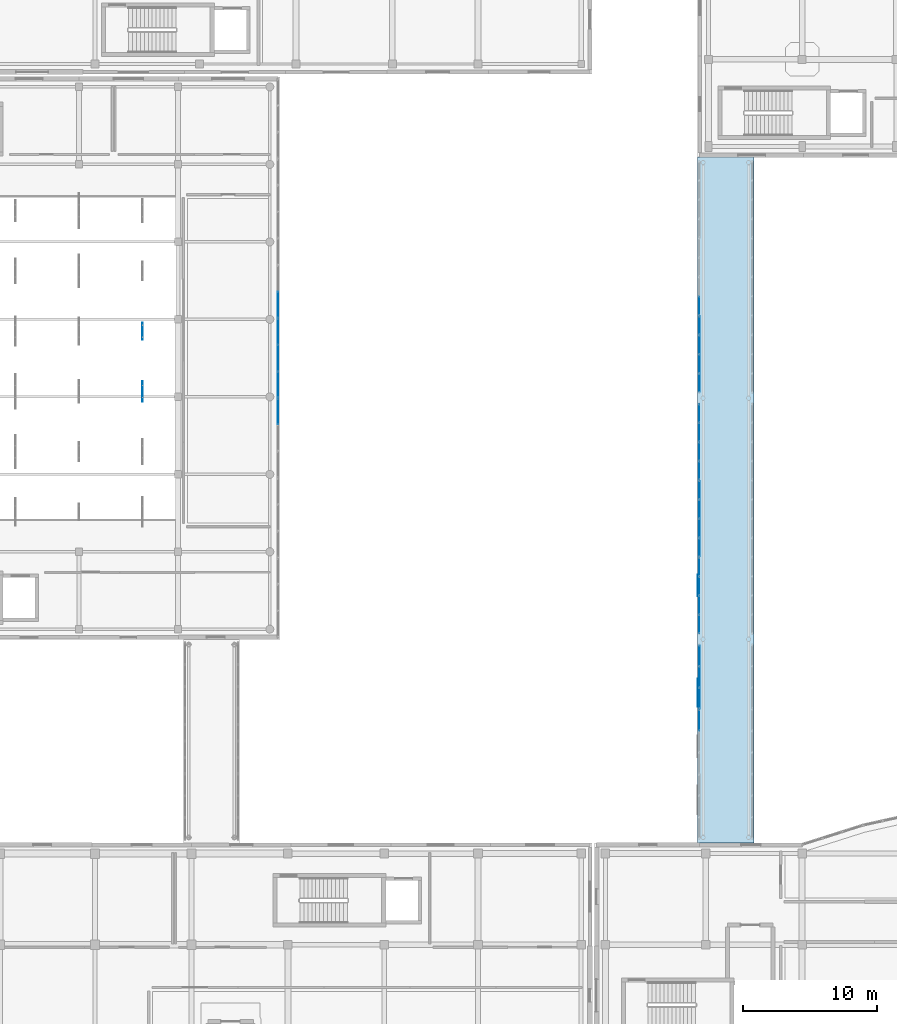
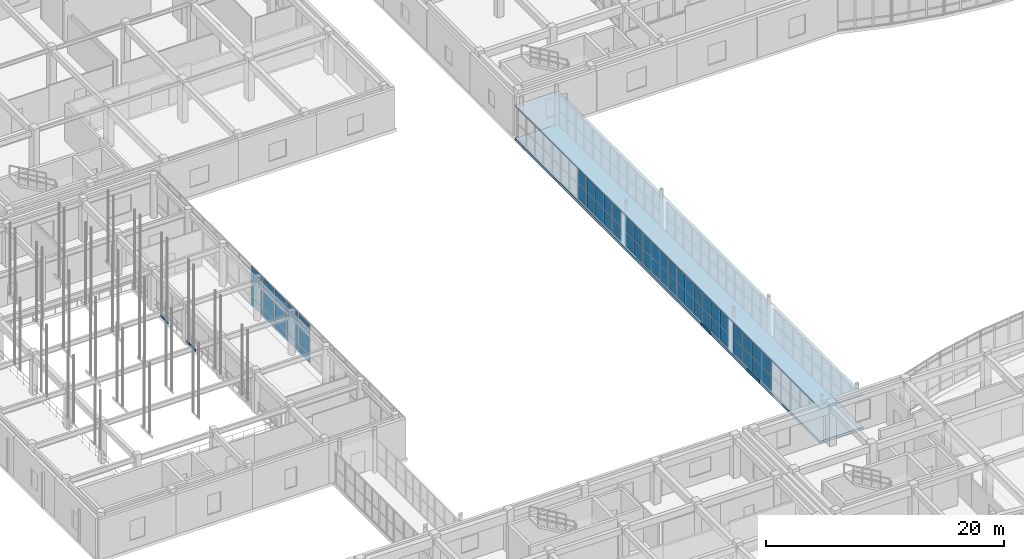
# One storey, part 106 of 142: 61 plates, 2 slabs, 10 elements without a shape of their own.
"""IFC4 building model written with IfcOpenShell, lengths in metres."""

from ifc_helpers import new_model, si_unit, direction, frame, origin, origin_2d, place, context, subcontext, project, spatial, polyline, rectangle, outline, extrude, material, layer, layer_set, type_object, element, aggregate, save


model = new_model("IFC4")

# Units and contexts
model_context = context("Model", 3, precision=1e-05, world=origin(), true_north=direction((0.0, 1.0)))
body_context = subcontext(model_context, "Body", "Model", "MODEL_VIEW")
ifc_project = project(units=[si_unit("LENGTHUNIT", "METRE"), si_unit("AREAUNIT", "SQUARE_METRE"), si_unit("VOLUMEUNIT", "CUBIC_METRE"), si_unit("PLANEANGLEUNIT", "RADIAN"), si_unit("MASSUNIT", "GRAM", prefix="KILO")], contexts=[model_context])

# Site, building, storey
site_placement = place(None, origin())
site = spatial("IfcSite", under=ifc_project, at=site_placement, CompositionType="ELEMENT")
building_placement = place(site_placement, origin())
building = spatial("IfcBuilding", under=site, at=building_placement, Name="Valcora Specialist Clinic", CompositionType="ELEMENT")
storey_placement = place(building_placement, frame((0.0, 0.0, 5.10009765625)))
storey = spatial("IfcBuildingStorey", under=building, at=storey_placement, Name="L01", CompositionType="ELEMENT", Elevation=5.10009765625)

# Curtain wall, plates
ifc_material_1 = material(Name="Anodized Bronze Aluminium 6063-T6", Category="aluminium")
ifc_layer_1 = layer(ifc_material_1, 0.175048828125)
ifc_layer_set_1 = layer_set([ifc_layer_1], Name="Anodized Bronze Aluminium 6063-T6")
curtain_wall_type_1 = type_object("IfcCurtainWallType", Name="TY-CW-HAL18", PredefinedType="NOTDEFINED", material=ifc_layer_set_1)
curtain_wall_1_placement = place(storey_placement, origin())
curtain_wall_1 = element("IfcCurtainWall", 1, at=curtain_wall_1_placement, inside=storey, type_object=curtain_wall_type_1, Name="Curtain wall CW-L01-010", PredefinedType="NOTDEFINED")
ifc_material_2 = material(Name="Low-E Laminated Insulating Glass", Category="glass")
ifc_layer_2 = layer(ifc_material_2, 0.028076171875)
ifc_layer_set_2 = layer_set([ifc_layer_2], Name="Low-E Laminated Insulating Glass")
plate_type_1 = type_object("IfcPlateType", Name="TY-CWP-GLZ28", PredefinedType="CURTAIN_PANEL", material=ifc_layer_set_2)
plate_1_placement = place(storey_placement, frame((29.85009765625, 62.98779296875, 0.88232421875), z_axis=(0.0, 0.0, 1.0), x_axis=(0.0, -1.0, 0.0)))
plate_1 = element("IfcPlate", 2, at=plate_1_placement, type_object=plate_type_1, Name="CW-HAL-18 panel 3.2", PredefinedType="CURTAIN_PANEL", context=body_context, shape_type="SweptSolid", body=[
    extrude(rectangle(XDim=1.88818359375, YDim=0.028076171875, at=origin_2d()), origin(), (0.0, 0.0, 1.0), 2.655029296875),
])
plate_2_placement = place(storey_placement, frame((29.85009765625, 62.98779296875, 3.6025390625), z_axis=(0.0, 0.0, 1.0), x_axis=(0.0, -1.0, 0.0)))
plate_2 = element("IfcPlate", 3, at=plate_2_placement, type_object=plate_type_1, Name="CW-HAL-18 panel 3.3", PredefinedType="CURTAIN_PANEL", context=body_context, shape_type="SweptSolid", body=[
    extrude(rectangle(XDim=1.88818359375, YDim=0.028076171875, at=origin_2d()), origin(), (0.0, 0.0, 1.0), 0.452392578125),
])

curtain_wall_2_placement = place(storey_placement, origin())
curtain_wall_2 = element("IfcCurtainWall", 4, at=curtain_wall_2_placement, inside=storey, type_object=curtain_wall_type_1, Name="Curtain wall CW-L01-012", PredefinedType="NOTDEFINED")
plate_3_placement = place(storey_placement, frame((29.85009765625, 55.01220703125, 0.88232421875), z_axis=(0.0, 0.0, 1.0), x_axis=(0.0, -1.0, 0.0)))
plate_3 = element("IfcPlate", 5, at=plate_3_placement, type_object=plate_type_1, Name="CW-HAL-18 panel 1.2", PredefinedType="CURTAIN_PANEL", context=body_context, shape_type="SweptSolid", body=[
    extrude(rectangle(XDim=1.88818359375, YDim=0.028076171875, at=origin_2d()), origin(), (0.0, 0.0, 1.0), 2.655029296875),
])
plate_4_placement = place(storey_placement, frame((29.85009765625, 55.01220703125, 3.6025390625), z_axis=(0.0, 0.0, 1.0), x_axis=(0.0, -1.0, 0.0)))
plate_4 = element("IfcPlate", 6, at=plate_4_placement, type_object=plate_type_1, Name="CW-HAL-18 panel 1.3", PredefinedType="CURTAIN_PANEL", context=body_context, shape_type="SweptSolid", body=[
    extrude(rectangle(XDim=1.88818359375, YDim=0.028076171875, at=origin_2d()), origin(), (0.0, 0.0, 1.0), 0.452392578125),
])

ifc_layer_3 = layer(ifc_material_1, 0.175048828125)
ifc_layer_set_3 = layer_set([ifc_layer_3], Name="Anodized Bronze Aluminium 6063-T6")
curtain_wall_type_2 = type_object("IfcCurtainWallType", Name="TY-CW-BRG14", PredefinedType="NOTDEFINED", material=ifc_layer_set_3)
curtain_wall_3_placement = place(storey_placement, origin())
curtain_wall_3 = element("IfcCurtainWall", 7, at=curtain_wall_3_placement, inside=storey, type_object=curtain_wall_type_2, Name="Curtain wall CW-L01-232", PredefinedType="NOTDEFINED")
plate_5_placement = place(storey_placement, frame((61.320068359375, 31.94482421875, 0.06494140625), z_axis=(0.0, 0.0, 1.0), x_axis=(0.0, 1.0, 0.0)))
plate_5 = element("IfcPlate", 8, at=plate_5_placement, type_object=plate_type_1, Name="CW-BRG-14 panel 3.1", PredefinedType="CURTAIN_PANEL", context=body_context, shape_type="SweptSolid", body=[
    extrude(rectangle(XDim=1.513671875, YDim=0.028076171875, at=origin_2d()), origin(), (0.0, 0.0, 1.0), 1.5224609375),
])
plate_6_placement = place(storey_placement, frame((61.320068359375, 31.94482421875, 1.65234375), z_axis=(0.0, 0.0, 1.0), x_axis=(0.0, 1.0, 0.0)))
plate_6 = element("IfcPlate", 9, at=plate_6_placement, type_object=plate_type_1, Name="CW-BRG-14 panel 3.2", PredefinedType="CURTAIN_PANEL", context=body_context, shape_type="SweptSolid", body=[
    extrude(rectangle(XDim=1.513671875, YDim=0.028076171875, at=origin_2d()), origin(), (0.0, 0.0, 1.0), 1.5224609375),
])
aggregate(curtain_wall_3, [plate_5, plate_6])

curtain_wall_4_placement = place(storey_placement, origin())
curtain_wall_4 = element("IfcCurtainWall", 10, at=curtain_wall_4_placement, inside=storey, type_object=curtain_wall_type_2, Name="Curtain wall CW-L01-234", PredefinedType="NOTDEFINED")
plate_7_placement = place(storey_placement, frame((61.320068359375, 39.1328125, 0.06494140625), z_axis=(0.0, 0.0, 1.0), x_axis=(0.0, 1.0, 0.0)))
plate_7 = element("IfcPlate", 11, at=plate_7_placement, type_object=plate_type_1, Name="CW-BRG-14 panel 1.1", PredefinedType="CURTAIN_PANEL", context=body_context, shape_type="SweptSolid", body=[
    extrude(rectangle(XDim=1.3359375, YDim=0.028076171875, at=origin_2d()), origin(), (0.0, 0.0, 1.0), 1.5224609375),
])
plate_8_placement = place(storey_placement, frame((61.320068359375, 39.1328125, 1.65234375), z_axis=(0.0, 0.0, 1.0), x_axis=(0.0, 1.0, 0.0)))
plate_8 = element("IfcPlate", 12, at=plate_8_placement, type_object=plate_type_1, Name="CW-BRG-14 panel 1.2", PredefinedType="CURTAIN_PANEL", context=body_context, shape_type="SweptSolid", body=[
    extrude(rectangle(XDim=1.3359375, YDim=0.028076171875, at=origin_2d()), origin(), (0.0, 0.0, 1.0), 1.5224609375),
])
plate_9_placement = place(storey_placement, frame((61.320068359375, 40.550048828125, 0.06494140625), z_axis=(0.0, 0.0, 1.0), x_axis=(0.0, 1.0, 0.0)))
plate_9 = element("IfcPlate", 13, at=plate_9_placement, type_object=plate_type_1, Name="CW-BRG-14 panel 2.1", PredefinedType="CURTAIN_PANEL", context=body_context, shape_type="SweptSolid", body=[
    extrude(rectangle(XDim=1.368408203125, YDim=0.028076171875, at=origin_2d()), origin(), (0.0, 0.0, 1.0), 1.5224609375),
])
plate_10_placement = place(storey_placement, frame((61.320068359375, 40.550048828125, 1.65234375), z_axis=(0.0, 0.0, 1.0), x_axis=(0.0, 1.0, 0.0)))
plate_10 = element("IfcPlate", 14, at=plate_10_placement, type_object=plate_type_1, Name="CW-BRG-14 panel 2.2", PredefinedType="CURTAIN_PANEL", context=body_context, shape_type="SweptSolid", body=[
    extrude(rectangle(XDim=1.368408203125, YDim=0.028076171875, at=origin_2d()), origin(), (0.0, 0.0, 1.0), 1.5224609375),
])
plate_11_placement = place(storey_placement, frame((61.320068359375, 41.9833984375, 0.06494140625), z_axis=(0.0, 0.0, 1.0), x_axis=(0.0, 1.0, 0.0)))
plate_11 = element("IfcPlate", 15, at=plate_11_placement, type_object=plate_type_1, Name="CW-BRG-14 panel 3.1", PredefinedType="CURTAIN_PANEL", context=body_context, shape_type="SweptSolid", body=[
    extrude(rectangle(XDim=1.368408203125, YDim=0.028076171875, at=origin_2d()), origin(), (0.0, 0.0, 1.0), 1.5224609375),
])
plate_12_placement = place(storey_placement, frame((61.320068359375, 41.9833984375, 1.65234375), z_axis=(0.0, 0.0, 1.0), x_axis=(0.0, 1.0, 0.0)))
plate_12 = element("IfcPlate", 16, at=plate_12_placement, type_object=plate_type_1, Name="CW-BRG-14 panel 3.2", PredefinedType="CURTAIN_PANEL", context=body_context, shape_type="SweptSolid", body=[
    extrude(rectangle(XDim=1.368408203125, YDim=0.028076171875, at=origin_2d()), origin(), (0.0, 0.0, 1.0), 1.5224609375),
])
plate_13_placement = place(storey_placement, frame((61.320068359375, 43.400390625, 0.06494140625), z_axis=(0.0, 0.0, 1.0), x_axis=(0.0, 1.0, 0.0)))
plate_13 = element("IfcPlate", 17, at=plate_13_placement, type_object=plate_type_1, Name="CW-BRG-14 panel 4.1", PredefinedType="CURTAIN_PANEL", context=body_context, shape_type="SweptSolid", body=[
    extrude(rectangle(XDim=1.3359375, YDim=0.028076171875, at=origin_2d()), origin(), (0.0, 0.0, 1.0), 1.5224609375),
])
plate_14_placement = place(storey_placement, frame((61.320068359375, 43.400390625, 1.65234375), z_axis=(0.0, 0.0, 1.0), x_axis=(0.0, 1.0, 0.0)))
plate_14 = element("IfcPlate", 18, at=plate_14_placement, type_object=plate_type_1, Name="CW-BRG-14 panel 4.2", PredefinedType="CURTAIN_PANEL", context=body_context, shape_type="SweptSolid", body=[
    extrude(rectangle(XDim=1.3359375, YDim=0.028076171875, at=origin_2d()), origin(), (0.0, 0.0, 1.0), 1.5224609375),
])
aggregate(curtain_wall_4, [plate_7, plate_8, plate_9, plate_10, plate_11, plate_12, plate_13, plate_14])

curtain_wall_5_placement = place(storey_placement, origin())
curtain_wall_5 = element("IfcCurtainWall", 19, at=curtain_wall_5_placement, inside=storey, type_object=curtain_wall_type_2, Name="Curtain wall CW-L01-236", PredefinedType="NOTDEFINED")
plate_15_placement = place(storey_placement, frame((61.320068359375, 50.599609375, 0.06494140625), z_axis=(0.0, 0.0, 1.0), x_axis=(0.0, 1.0, 0.0)))
plate_15 = element("IfcPlate", 20, at=plate_15_placement, type_object=plate_type_1, Name="CW-BRG-14 panel 1.1", PredefinedType="CURTAIN_PANEL", context=body_context, shape_type="SweptSolid", body=[
    extrude(rectangle(XDim=1.3359375, YDim=0.028076171875, at=origin_2d()), origin(), (0.0, 0.0, 1.0), 1.5224609375),
])
plate_16_placement = place(storey_placement, frame((61.320068359375, 50.599609375, 1.65234375), z_axis=(0.0, 0.0, 1.0), x_axis=(0.0, 1.0, 0.0)))
plate_16 = element("IfcPlate", 21, at=plate_16_placement, type_object=plate_type_1, Name="CW-BRG-14 panel 1.2", PredefinedType="CURTAIN_PANEL", context=body_context, shape_type="SweptSolid", body=[
    extrude(rectangle(XDim=1.3359375, YDim=0.028076171875, at=origin_2d()), origin(), (0.0, 0.0, 1.0), 1.5224609375),
])
plate_17_placement = place(storey_placement, frame((61.320068359375, 52.0166015625, 0.06494140625), z_axis=(0.0, 0.0, 1.0), x_axis=(0.0, 1.0, 0.0)))
plate_17 = element("IfcPlate", 22, at=plate_17_placement, type_object=plate_type_1, Name="CW-BRG-14 panel 2.1", PredefinedType="CURTAIN_PANEL", context=body_context, shape_type="SweptSolid", body=[
    extrude(rectangle(XDim=1.368408203125, YDim=0.028076171875, at=origin_2d()), origin(), (0.0, 0.0, 1.0), 1.5224609375),
])
plate_18_placement = place(storey_placement, frame((61.320068359375, 52.0166015625, 1.65234375), z_axis=(0.0, 0.0, 1.0), x_axis=(0.0, 1.0, 0.0)))
plate_18 = element("IfcPlate", 23, at=plate_18_placement, type_object=plate_type_1, Name="CW-BRG-14 panel 2.2", PredefinedType="CURTAIN_PANEL", context=body_context, shape_type="SweptSolid", body=[
    extrude(rectangle(XDim=1.368408203125, YDim=0.028076171875, at=origin_2d()), origin(), (0.0, 0.0, 1.0), 1.5224609375),
])
plate_19_placement = place(storey_placement, frame((61.320068359375, 53.449951171875, 0.06494140625), z_axis=(0.0, 0.0, 1.0), x_axis=(0.0, 1.0, 0.0)))
plate_19 = element("IfcPlate", 24, at=plate_19_placement, type_object=plate_type_1, Name="CW-BRG-14 panel 3.1", PredefinedType="CURTAIN_PANEL", context=body_context, shape_type="SweptSolid", body=[
    extrude(rectangle(XDim=1.368408203125, YDim=0.028076171875, at=origin_2d()), origin(), (0.0, 0.0, 1.0), 1.5224609375),
])
plate_20_placement = place(storey_placement, frame((61.320068359375, 53.449951171875, 1.65234375), z_axis=(0.0, 0.0, 1.0), x_axis=(0.0, 1.0, 0.0)))
plate_20 = element("IfcPlate", 25, at=plate_20_placement, type_object=plate_type_1, Name="CW-BRG-14 panel 3.2", PredefinedType="CURTAIN_PANEL", context=body_context, shape_type="SweptSolid", body=[
    extrude(rectangle(XDim=1.368408203125, YDim=0.028076171875, at=origin_2d()), origin(), (0.0, 0.0, 1.0), 1.5224609375),
])
plate_21_placement = place(storey_placement, frame((61.320068359375, 54.8671875, 0.06494140625), z_axis=(0.0, 0.0, 1.0), x_axis=(0.0, 1.0, 0.0)))
plate_21 = element("IfcPlate", 26, at=plate_21_placement, type_object=plate_type_1, Name="CW-BRG-14 panel 4.1", PredefinedType="CURTAIN_PANEL", context=body_context, shape_type="SweptSolid", body=[
    extrude(rectangle(XDim=1.3359375, YDim=0.028076171875, at=origin_2d()), origin(), (0.0, 0.0, 1.0), 1.5224609375),
])
plate_22_placement = place(storey_placement, frame((61.320068359375, 54.8671875, 1.65234375), z_axis=(0.0, 0.0, 1.0), x_axis=(0.0, 1.0, 0.0)))
plate_22 = element("IfcPlate", 27, at=plate_22_placement, type_object=plate_type_1, Name="CW-BRG-14 panel 4.2", PredefinedType="CURTAIN_PANEL", context=body_context, shape_type="SweptSolid", body=[
    extrude(rectangle(XDim=1.3359375, YDim=0.028076171875, at=origin_2d()), origin(), (0.0, 0.0, 1.0), 1.5224609375),
])
aggregate(curtain_wall_5, [plate_15, plate_16, plate_17, plate_18, plate_19, plate_20, plate_21, plate_22])

curtain_wall_6_placement = place(storey_placement, origin())
curtain_wall_6 = element("IfcCurtainWall", 28, at=curtain_wall_6_placement, inside=storey, type_object=curtain_wall_type_2, Name="Curtain wall CW-L01-238", PredefinedType="NOTDEFINED")
plate_23_placement = place(storey_placement, frame((61.320068359375, 62.90380859375, 0.06494140625), z_axis=(0.0, 0.0, 1.0), x_axis=(0.0, 1.0, 0.0)))
plate_23 = element("IfcPlate", 29, at=plate_23_placement, type_object=plate_type_1, Name="CW-BRG-14 panel 1.1", PredefinedType="CURTAIN_PANEL", context=body_context, shape_type="SweptSolid", body=[
    extrude(rectangle(XDim=1.34423828125, YDim=0.028076171875, at=origin_2d()), origin(), (0.0, 0.0, 1.0), 1.5224609375),
])
plate_24_placement = place(storey_placement, frame((61.320068359375, 62.90380859375, 1.65234375), z_axis=(0.0, 0.0, 1.0), x_axis=(0.0, 1.0, 0.0)))
plate_24 = element("IfcPlate", 30, at=plate_24_placement, type_object=plate_type_1, Name="CW-BRG-14 panel 1.2", PredefinedType="CURTAIN_PANEL", context=body_context, shape_type="SweptSolid", body=[
    extrude(rectangle(XDim=1.34423828125, YDim=0.028076171875, at=origin_2d()), origin(), (0.0, 0.0, 1.0), 1.5224609375),
])
aggregate(curtain_wall_6, [plate_23, plate_24])

curtain_wall_7_placement = place(storey_placement, origin())
curtain_wall_7 = element("IfcCurtainWall", 31, at=curtain_wall_7_placement, inside=storey, type_object=curtain_wall_type_1, Name="Curtain wall CW-L01-011", PredefinedType="NOTDEFINED")
ifc_layer_4 = layer(ifc_material_2, 0.033935546875)
ifc_layer_set_4 = layer_set([ifc_layer_4], Name="Low-E Laminated Insulating Glass")
plate_type_2 = type_object("IfcPlateType", Name="TY-CWP-GLZ34", PredefinedType="CURTAIN_PANEL", material=ifc_layer_set_4)
plate_25_placement = place(storey_placement, frame((29.85009765625, 60.969482421875, 0.88232421875), z_axis=(0.0, 0.0, 1.0), x_axis=(0.0, -1.0, 0.0)))
plate_25 = element("IfcPlate", 32, at=plate_25_placement, type_object=plate_type_2, Name="CW-HAL-18 panel 1.2", PredefinedType="CURTAIN_PANEL", context=body_context, shape_type="SweptSolid", body=[
    extrude(rectangle(XDim=1.88818359375, YDim=0.033935546875, at=origin_2d()), origin(), (0.0, 0.0, 1.0), 2.655029296875),
])
plate_26_placement = place(storey_placement, frame((29.85009765625, 60.969482421875, 3.6025390625), z_axis=(0.0, 0.0, 1.0), x_axis=(0.0, -1.0, 0.0)))
plate_26 = element("IfcPlate", 33, at=plate_26_placement, type_object=plate_type_2, Name="CW-HAL-18 panel 1.3", PredefinedType="CURTAIN_PANEL", context=body_context, shape_type="SweptSolid", body=[
    extrude(rectangle(XDim=1.88818359375, YDim=0.033935546875, at=origin_2d()), origin(), (0.0, 0.0, 1.0), 0.452392578125),
])
plate_27_placement = place(storey_placement, frame((29.85009765625, 59.0, 0.88232421875), z_axis=(0.0, 0.0, 1.0), x_axis=(0.0, -1.0, 0.0)))
plate_27 = element("IfcPlate", 34, at=plate_27_placement, type_object=plate_type_2, Name="CW-HAL-18 panel 2.2", PredefinedType="CURTAIN_PANEL", context=body_context, shape_type="SweptSolid", body=[
    extrude(rectangle(XDim=1.920654296875, YDim=0.033935546875, at=origin_2d()), origin(), (0.0, 0.0, 1.0), 2.655029296875),
])
plate_28_placement = place(storey_placement, frame((29.85009765625, 59.0, 3.6025390625), z_axis=(0.0, 0.0, 1.0), x_axis=(0.0, -1.0, 0.0)))
plate_28 = element("IfcPlate", 35, at=plate_28_placement, type_object=plate_type_2, Name="CW-HAL-18 panel 2.3", PredefinedType="CURTAIN_PANEL", context=body_context, shape_type="SweptSolid", body=[
    extrude(rectangle(XDim=1.920654296875, YDim=0.033935546875, at=origin_2d()), origin(), (0.0, 0.0, 1.0), 0.452392578125),
])
plate_29_placement = place(storey_placement, frame((29.85009765625, 57.030517578125, 0.88232421875), z_axis=(0.0, 0.0, 1.0), x_axis=(0.0, -1.0, 0.0)))
plate_29 = element("IfcPlate", 36, at=plate_29_placement, type_object=plate_type_2, Name="CW-HAL-18 panel 3.2", PredefinedType="CURTAIN_PANEL", context=body_context, shape_type="SweptSolid", body=[
    extrude(rectangle(XDim=1.88818359375, YDim=0.033935546875, at=origin_2d()), origin(), (0.0, 0.0, 1.0), 2.655029296875),
])
plate_30_placement = place(storey_placement, frame((29.85009765625, 57.030517578125, 3.6025390625), z_axis=(0.0, 0.0, 1.0), x_axis=(0.0, -1.0, 0.0)))
plate_30 = element("IfcPlate", 37, at=plate_30_placement, type_object=plate_type_2, Name="CW-HAL-18 panel 3.3", PredefinedType="CURTAIN_PANEL", context=body_context, shape_type="SweptSolid", body=[
    extrude(rectangle(XDim=1.88818359375, YDim=0.033935546875, at=origin_2d()), origin(), (0.0, 0.0, 1.0), 0.452392578125),
])

curtain_wall_8_placement = place(storey_placement, origin())
curtain_wall_8 = element("IfcCurtainWall", 38, at=curtain_wall_8_placement, inside=storey, type_object=curtain_wall_type_2, Name="Curtain wall CW-L01-233", PredefinedType="NOTDEFINED")
plate_31_placement = place(storey_placement, frame((61.320068359375, 33.58837890625, 0.06494140625), z_axis=(0.0, 0.0, 1.0), x_axis=(0.0, 1.0, 0.0)))
plate_31 = element("IfcPlate", 39, at=plate_31_placement, type_object=plate_type_2, Name="CW-BRG-14 panel 1.1", PredefinedType="CURTAIN_PANEL", context=body_context, shape_type="SweptSolid", body=[
    extrude(rectangle(XDim=1.513671875, YDim=0.033935546875, at=origin_2d()), origin(), (0.0, 0.0, 1.0), 1.5224609375),
])
plate_32_placement = place(storey_placement, frame((61.320068359375, 33.58837890625, 1.65234375), z_axis=(0.0, 0.0, 1.0), x_axis=(0.0, 1.0, 0.0)))
plate_32 = element("IfcPlate", 40, at=plate_32_placement, type_object=plate_type_2, Name="CW-BRG-14 panel 1.2", PredefinedType="CURTAIN_PANEL", context=body_context, shape_type="SweptSolid", body=[
    extrude(rectangle(XDim=1.513671875, YDim=0.033935546875, at=origin_2d()), origin(), (0.0, 0.0, 1.0), 1.5224609375),
])
plate_33_placement = place(storey_placement, frame((61.320068359375, 35.183349609375, 0.06494140625), z_axis=(0.0, 0.0, 1.0), x_axis=(0.0, 1.0, 0.0)))
plate_33 = element("IfcPlate", 41, at=plate_33_placement, type_object=plate_type_2, Name="CW-BRG-14 panel 2.1", PredefinedType="CURTAIN_PANEL", context=body_context, shape_type="SweptSolid", body=[
    extrude(rectangle(XDim=1.546142578125, YDim=0.033935546875, at=origin_2d()), origin(), (0.0, 0.0, 1.0), 1.5224609375),
])
plate_34_placement = place(storey_placement, frame((61.320068359375, 35.183349609375, 1.65234375), z_axis=(0.0, 0.0, 1.0), x_axis=(0.0, 1.0, 0.0)))
plate_34 = element("IfcPlate", 42, at=plate_34_placement, type_object=plate_type_2, Name="CW-BRG-14 panel 2.2", PredefinedType="CURTAIN_PANEL", context=body_context, shape_type="SweptSolid", body=[
    extrude(rectangle(XDim=1.546142578125, YDim=0.033935546875, at=origin_2d()), origin(), (0.0, 0.0, 1.0), 1.5224609375),
])
plate_35_placement = place(storey_placement, frame((61.320068359375, 36.7783203125, 0.06494140625), z_axis=(0.0, 0.0, 1.0), x_axis=(0.0, 1.0, 0.0)))
plate_35 = element("IfcPlate", 43, at=plate_35_placement, type_object=plate_type_2, Name="CW-BRG-14 panel 3.1", PredefinedType="CURTAIN_PANEL", context=body_context, shape_type="SweptSolid", body=[
    extrude(rectangle(XDim=1.513671875, YDim=0.033935546875, at=origin_2d()), origin(), (0.0, 0.0, 1.0), 1.5224609375),
])
plate_36_placement = place(storey_placement, frame((61.320068359375, 36.7783203125, 1.65234375), z_axis=(0.0, 0.0, 1.0), x_axis=(0.0, 1.0, 0.0)))
plate_36 = element("IfcPlate", 44, at=plate_36_placement, type_object=plate_type_2, Name="CW-BRG-14 panel 3.2", PredefinedType="CURTAIN_PANEL", context=body_context, shape_type="SweptSolid", body=[
    extrude(rectangle(XDim=1.513671875, YDim=0.033935546875, at=origin_2d()), origin(), (0.0, 0.0, 1.0), 1.5224609375),
])
aggregate(curtain_wall_8, [plate_31, plate_32, plate_33, plate_34, plate_35, plate_36])

curtain_wall_9_placement = place(storey_placement, origin())
curtain_wall_9 = element("IfcCurtainWall", 45, at=curtain_wall_9_placement, inside=storey, type_object=curtain_wall_type_2, Name="Curtain wall CW-L01-235", PredefinedType="NOTDEFINED")
plate_37_placement = place(storey_placement, frame((61.320068359375, 44.8662109375, 0.06494140625), z_axis=(0.0, 0.0, 1.0), x_axis=(0.0, 1.0, 0.0)))
plate_37 = element("IfcPlate", 46, at=plate_37_placement, type_object=plate_type_2, Name="CW-BRG-14 panel 1.1", PredefinedType="CURTAIN_PANEL", context=body_context, shape_type="SweptSolid", body=[
    extrude(rectangle(XDim=1.3359375, YDim=0.033935546875, at=origin_2d()), origin(), (0.0, 0.0, 1.0), 1.5224609375),
])
plate_38_placement = place(storey_placement, frame((61.320068359375, 44.8662109375, 1.65234375), z_axis=(0.0, 0.0, 1.0), x_axis=(0.0, 1.0, 0.0)))
plate_38 = element("IfcPlate", 47, at=plate_38_placement, type_object=plate_type_2, Name="CW-BRG-14 panel 1.2", PredefinedType="CURTAIN_PANEL", context=body_context, shape_type="SweptSolid", body=[
    extrude(rectangle(XDim=1.3359375, YDim=0.033935546875, at=origin_2d()), origin(), (0.0, 0.0, 1.0), 1.5224609375),
])
plate_39_placement = place(storey_placement, frame((61.320068359375, 46.283203125, 0.06494140625), z_axis=(0.0, 0.0, 1.0), x_axis=(0.0, 1.0, 0.0)))
plate_39 = element("IfcPlate", 48, at=plate_39_placement, type_object=plate_type_2, Name="CW-BRG-14 panel 2.1", PredefinedType="CURTAIN_PANEL", context=body_context, shape_type="SweptSolid", body=[
    extrude(rectangle(XDim=1.368408203125, YDim=0.033935546875, at=origin_2d()), origin(), (0.0, 0.0, 1.0), 1.5224609375),
])
plate_40_placement = place(storey_placement, frame((61.320068359375, 46.283203125, 1.65234375), z_axis=(0.0, 0.0, 1.0), x_axis=(0.0, 1.0, 0.0)))
plate_40 = element("IfcPlate", 49, at=plate_40_placement, type_object=plate_type_2, Name="CW-BRG-14 panel 2.2", PredefinedType="CURTAIN_PANEL", context=body_context, shape_type="SweptSolid", body=[
    extrude(rectangle(XDim=1.368408203125, YDim=0.033935546875, at=origin_2d()), origin(), (0.0, 0.0, 1.0), 1.5224609375),
])
plate_41_placement = place(storey_placement, frame((61.320068359375, 47.716796875, 0.06494140625), z_axis=(0.0, 0.0, 1.0), x_axis=(0.0, 1.0, 0.0)))
plate_41 = element("IfcPlate", 50, at=plate_41_placement, type_object=plate_type_2, Name="CW-BRG-14 panel 3.1", PredefinedType="CURTAIN_PANEL", context=body_context, shape_type="SweptSolid", body=[
    extrude(rectangle(XDim=1.368408203125, YDim=0.033935546875, at=origin_2d()), origin(), (0.0, 0.0, 1.0), 1.5224609375),
])
plate_42_placement = place(storey_placement, frame((61.320068359375, 47.716796875, 1.65234375), z_axis=(0.0, 0.0, 1.0), x_axis=(0.0, 1.0, 0.0)))
plate_42 = element("IfcPlate", 51, at=plate_42_placement, type_object=plate_type_2, Name="CW-BRG-14 panel 3.2", PredefinedType="CURTAIN_PANEL", context=body_context, shape_type="SweptSolid", body=[
    extrude(rectangle(XDim=1.368408203125, YDim=0.033935546875, at=origin_2d()), origin(), (0.0, 0.0, 1.0), 1.5224609375),
])
plate_43_placement = place(storey_placement, frame((61.320068359375, 49.1337890625, 0.06494140625), z_axis=(0.0, 0.0, 1.0), x_axis=(0.0, 1.0, 0.0)))
plate_43 = element("IfcPlate", 52, at=plate_43_placement, type_object=plate_type_2, Name="CW-BRG-14 panel 4.1", PredefinedType="CURTAIN_PANEL", context=body_context, shape_type="SweptSolid", body=[
    extrude(rectangle(XDim=1.3359375, YDim=0.033935546875, at=origin_2d()), origin(), (0.0, 0.0, 1.0), 1.5224609375),
])
plate_44_placement = place(storey_placement, frame((61.320068359375, 49.1337890625, 1.65234375), z_axis=(0.0, 0.0, 1.0), x_axis=(0.0, 1.0, 0.0)))
plate_44 = element("IfcPlate", 53, at=plate_44_placement, type_object=plate_type_2, Name="CW-BRG-14 panel 4.2", PredefinedType="CURTAIN_PANEL", context=body_context, shape_type="SweptSolid", body=[
    extrude(rectangle(XDim=1.3359375, YDim=0.033935546875, at=origin_2d()), origin(), (0.0, 0.0, 1.0), 1.5224609375),
])
aggregate(curtain_wall_9, [plate_37, plate_38, plate_39, plate_40, plate_41, plate_42, plate_43, plate_44])

curtain_wall_10_placement = place(storey_placement, origin())
curtain_wall_10 = element("IfcCurtainWall", 54, at=curtain_wall_10_placement, inside=storey, type_object=curtain_wall_type_2, Name="Curtain wall CW-L01-237", PredefinedType="NOTDEFINED")
plate_45_placement = place(storey_placement, frame((61.320068359375, 57.13720703125, 0.06494140625), z_axis=(0.0, 0.0, 1.0), x_axis=(0.0, 1.0, 0.0)))
plate_45 = element("IfcPlate", 55, at=plate_45_placement, type_object=plate_type_2, Name="CW-BRG-14 panel 1.1", PredefinedType="CURTAIN_PANEL", context=body_context, shape_type="SweptSolid", body=[
    extrude(rectangle(XDim=1.34423828125, YDim=0.033935546875, at=origin_2d()), origin(), (0.0, 0.0, 1.0), 1.5224609375),
])
plate_46_placement = place(storey_placement, frame((61.320068359375, 57.13720703125, 1.65234375), z_axis=(0.0, 0.0, 1.0), x_axis=(0.0, 1.0, 0.0)))
plate_46 = element("IfcPlate", 56, at=plate_46_placement, type_object=plate_type_2, Name="CW-BRG-14 panel 1.2", PredefinedType="CURTAIN_PANEL", context=body_context, shape_type="SweptSolid", body=[
    extrude(rectangle(XDim=1.34423828125, YDim=0.033935546875, at=origin_2d()), origin(), (0.0, 0.0, 1.0), 1.5224609375),
])
plate_47_placement = place(storey_placement, frame((61.320068359375, 58.5625, 0.06494140625), z_axis=(0.0, 0.0, 1.0), x_axis=(0.0, 1.0, 0.0)))
plate_47 = element("IfcPlate", 57, at=plate_47_placement, type_object=plate_type_2, Name="CW-BRG-14 panel 2.1", PredefinedType="CURTAIN_PANEL", context=body_context, shape_type="SweptSolid", body=[
    extrude(rectangle(XDim=1.376708984375, YDim=0.033935546875, at=origin_2d()), origin(), (0.0, 0.0, 1.0), 1.5224609375),
])
plate_48_placement = place(storey_placement, frame((61.320068359375, 58.5625, 1.65234375), z_axis=(0.0, 0.0, 1.0), x_axis=(0.0, 1.0, 0.0)))
plate_48 = element("IfcPlate", 58, at=plate_48_placement, type_object=plate_type_2, Name="CW-BRG-14 panel 2.2", PredefinedType="CURTAIN_PANEL", context=body_context, shape_type="SweptSolid", body=[
    extrude(rectangle(XDim=1.376708984375, YDim=0.033935546875, at=origin_2d()), origin(), (0.0, 0.0, 1.0), 1.5224609375),
])
plate_49_placement = place(storey_placement, frame((61.320068359375, 60.004150390625, 0.06494140625), z_axis=(0.0, 0.0, 1.0), x_axis=(0.0, 1.0, 0.0)))
plate_49 = element("IfcPlate", 59, at=plate_49_placement, type_object=plate_type_2, Name="CW-BRG-14 panel 3.1", PredefinedType="CURTAIN_PANEL", context=body_context, shape_type="SweptSolid", body=[
    extrude(rectangle(XDim=1.376708984375, YDim=0.033935546875, at=origin_2d()), origin(), (0.0, 0.0, 1.0), 1.5224609375),
])
plate_50_placement = place(storey_placement, frame((61.320068359375, 60.004150390625, 1.65234375), z_axis=(0.0, 0.0, 1.0), x_axis=(0.0, 1.0, 0.0)))
plate_50 = element("IfcPlate", 60, at=plate_50_placement, type_object=plate_type_2, Name="CW-BRG-14 panel 3.2", PredefinedType="CURTAIN_PANEL", context=body_context, shape_type="SweptSolid", body=[
    extrude(rectangle(XDim=1.376708984375, YDim=0.033935546875, at=origin_2d()), origin(), (0.0, 0.0, 1.0), 1.5224609375),
])
plate_51_placement = place(storey_placement, frame((61.320068359375, 61.4296875, 0.06494140625), z_axis=(0.0, 0.0, 1.0), x_axis=(0.0, 1.0, 0.0)))
plate_51 = element("IfcPlate", 61, at=plate_51_placement, type_object=plate_type_2, Name="CW-BRG-14 panel 4.1", PredefinedType="CURTAIN_PANEL", context=body_context, shape_type="SweptSolid", body=[
    extrude(rectangle(XDim=1.34423828125, YDim=0.033935546875, at=origin_2d()), origin(), (0.0, 0.0, 1.0), 1.5224609375),
])
plate_52_placement = place(storey_placement, frame((61.320068359375, 61.4296875, 1.65234375), z_axis=(0.0, 0.0, 1.0), x_axis=(0.0, 1.0, 0.0)))
plate_52 = element("IfcPlate", 62, at=plate_52_placement, type_object=plate_type_2, Name="CW-BRG-14 panel 4.2", PredefinedType="CURTAIN_PANEL", context=body_context, shape_type="SweptSolid", body=[
    extrude(rectangle(XDim=1.34423828125, YDim=0.033935546875, at=origin_2d()), origin(), (0.0, 0.0, 1.0), 1.5224609375),
])
aggregate(curtain_wall_10, [plate_45, plate_46, plate_47, plate_48, plate_49, plate_50, plate_51, plate_52])

# Plate
ifc_material_3 = material(Name="Insulated Spandrel Panel")
ifc_layer_5 = layer(ifc_material_3, 0.044921875)
ifc_layer_set_5 = layer_set([ifc_layer_5], Name="Insulated Spandrel Panel")
plate_type_3 = type_object("IfcPlateType", Name="TY-CWP-SPN45", PredefinedType="SHEET", material=ifc_layer_set_5)
plate_53_placement = place(storey_placement, frame((29.85009765625, 62.98779296875, 0.06494140625), z_axis=(0.0, 0.0, 1.0), x_axis=(0.0, -1.0, 0.0)))
plate_53 = element("IfcPlate", 63, at=plate_53_placement, type_object=plate_type_3, Name="CW-HAL-18 panel 3.1", PredefinedType="SHEET", context=body_context, shape_type="SweptSolid", body=[
    extrude(rectangle(XDim=1.88818359375, YDim=0.044921875, at=origin_2d()), origin(), (0.0, 0.0, 1.0), 0.75244140625),
])

aggregate(curtain_wall_1, [plate_53, plate_1, plate_2])

plate_54_placement = place(storey_placement, frame((29.85009765625, 60.969482421875, 0.06494140625), z_axis=(0.0, 0.0, 1.0), x_axis=(0.0, -1.0, 0.0)))
plate_54 = element("IfcPlate", 64, at=plate_54_placement, type_object=plate_type_3, Name="CW-HAL-18 panel 1.1", PredefinedType="SHEET", context=body_context, shape_type="SweptSolid", body=[
    extrude(rectangle(XDim=1.88818359375, YDim=0.044921875, at=origin_2d()), origin(), (0.0, 0.0, 1.0), 0.75244140625),
])

plate_55_placement = place(storey_placement, frame((29.85009765625, 59.0, 0.06494140625), z_axis=(0.0, 0.0, 1.0), x_axis=(0.0, -1.0, 0.0)))
plate_55 = element("IfcPlate", 65, at=plate_55_placement, type_object=plate_type_3, Name="CW-HAL-18 panel 2.1", PredefinedType="SHEET", context=body_context, shape_type="SweptSolid", body=[
    extrude(rectangle(XDim=1.920654296875, YDim=0.044921875, at=origin_2d()), origin(), (0.0, 0.0, 1.0), 0.75244140625),
])

plate_56_placement = place(storey_placement, frame((29.85009765625, 57.030517578125, 0.06494140625), z_axis=(0.0, 0.0, 1.0), x_axis=(0.0, -1.0, 0.0)))
plate_56 = element("IfcPlate", 66, at=plate_56_placement, type_object=plate_type_3, Name="CW-HAL-18 panel 3.1", PredefinedType="SHEET", context=body_context, shape_type="SweptSolid", body=[
    extrude(rectangle(XDim=1.88818359375, YDim=0.044921875, at=origin_2d()), origin(), (0.0, 0.0, 1.0), 0.75244140625),
])

aggregate(curtain_wall_7, [plate_54, plate_25, plate_26, plate_55, plate_27, plate_28, plate_56, plate_29, plate_30])

plate_57_placement = place(storey_placement, frame((29.85009765625, 55.01220703125, 0.06494140625), z_axis=(0.0, 0.0, 1.0), x_axis=(0.0, -1.0, 0.0)))
plate_57 = element("IfcPlate", 67, at=plate_57_placement, type_object=plate_type_3, Name="CW-HAL-18 panel 1.1", PredefinedType="SHEET", context=body_context, shape_type="SweptSolid", body=[
    extrude(rectangle(XDim=1.88818359375, YDim=0.044921875, at=origin_2d()), origin(), (0.0, 0.0, 1.0), 0.75244140625),
])

aggregate(curtain_wall_2, [plate_57, plate_3, plate_4])

# Plates
ifc_layer_6 = layer(ifc_material_1, 0.035888671875)
ifc_layer_set_6 = layer_set([ifc_layer_6], Name="Anodized Bronze Aluminium 6063-T6")
plate_type_4 = type_object("IfcPlateType", Name="TY-PL-BAF4", PredefinedType="SHEET", material=ifc_layer_set_6)
plate_58_placement = place(storey_placement, frame((19.75, 56.5, 3.72998046875), z_axis=(0.0, 0.0, 1.0), x_axis=(0.0, 1.0, 0.0)))
element("IfcPlate", 68, at=plate_58_placement, inside=storey, type_object=plate_type_4, Name="Acoustic ceiling baffle 21", PredefinedType="SHEET", context=body_context, shape_type="SweptSolid", body=[
    extrude(rectangle(XDim=1.550048828125, YDim=0.035888671875, at=origin_2d()), origin(), (0.0, 0.0, 1.0), 0.239990234375),
])
ifc_layer_7 = layer(ifc_material_1, 0.033935546875)
ifc_layer_set_7 = layer_set([ifc_layer_7], Name="Anodized Bronze Aluminium 6063-T6")
plate_type_5 = type_object("IfcPlateType", Name="TY-PL-BAF5", PredefinedType="SHEET", material=ifc_layer_set_7)
plate_59_placement = place(storey_placement, frame((19.75, 61.0, 3.744873046875), z_axis=(0.0, 0.0, 1.0), x_axis=(0.0, 1.0, 0.0)))
element("IfcPlate", 69, at=plate_59_placement, inside=storey, type_object=plate_type_5, Name="Acoustic ceiling baffle 22", PredefinedType="SHEET", context=body_context, shape_type="SweptSolid", body=[
    extrude(rectangle(XDim=1.25, YDim=0.033935546875, at=origin_2d()), origin(), (0.0, 0.0, 1.0), 0.2099609375),
])
ifc_material_4 = material(Name="Steel ASTM A572 Grade 50", Category="steel")
ifc_layer_8 = layer(ifc_material_4, 0.010009765625)
ifc_layer_set_8 = layer_set([ifc_layer_8], Name="Steel ASTM A572 Grade 50")
plate_type_6 = type_object("IfcPlateType", Name="TY-PL-FSC3", PredefinedType="USERDEFINED", material=ifc_layer_set_8)
plate_60_placement = place(storey_placement, frame((61.199951171875, 34.0, -0.275146484375), z_axis=(0.0, 0.0, 1.0), x_axis=(0.0, 1.0, 0.0)))
element("IfcPlate", 70, at=plate_60_placement, inside=storey, type_object=plate_type_6, Name="Bridge fascia plate 3", ObjectType="COVER_PLATE", PredefinedType="USERDEFINED", context=body_context, shape_type="SweptSolid", body=[
    extrude(rectangle(XDim=2.10009765625, YDim=0.010009765625, at=origin_2d()), origin(), (0.0, 0.0, 1.0), 0.35009765625),
])
ifc_layer_9 = layer(ifc_material_4, 0.010009765625)
ifc_layer_set_9 = layer_set([ifc_layer_9], Name="Steel ASTM A572 Grade 50")
plate_type_7 = type_object("IfcPlateType", Name="TY-PL-FSC4", PredefinedType="USERDEFINED", material=ifc_layer_set_9)
plate_61_placement = place(storey_placement, frame((61.199951171875, 42.0, -0.26025390625), z_axis=(0.0, 0.0, 1.0), x_axis=(0.0, 1.0, 0.0)))
element("IfcPlate", 71, at=plate_61_placement, inside=storey, type_object=plate_type_7, Name="Bridge fascia plate 4", ObjectType="COVER_PLATE", PredefinedType="USERDEFINED", context=body_context, shape_type="SweptSolid", body=[
    extrude(rectangle(XDim=1.60009765625, YDim=0.010009765625, at=origin_2d()), origin(), (0.0, 0.0, 1.0), 0.320068359375),
])

# Slabs
ifc_material_5 = material(Name="Concrete C40/50", Category="concrete")
ifc_layer_10 = layer(ifc_material_5, 0.25)
ifc_layer_set_10 = layer_set([ifc_layer_10], Name="Concrete C40/50")
slab_type_1 = type_object("IfcSlabType", Name="TY-SL-BRG250", PredefinedType="FLOOR", material=ifc_layer_set_10)
slab_1_placement = place(storey_placement, frame((0.0, 0.0, -0.25)))
element("IfcSlab", 72, at=slab_1_placement, inside=storey, type_object=slab_type_1, Name="Link bridge deck BRG-E-L01 SL-L01-080", PredefinedType="FLOOR", context=body_context, shape_type="SweptSolid", body=[
    extrude(outline(polyline([(61.199951171875, 22.800048828125), (65.39990234375, 22.800048828125), (65.39990234375, 74.0), (61.199951171875, 74.0), (61.199951171875, 22.800048828125)])), origin(), (0.0, 0.0, 1.0), 0.25),
])
ifc_layer_11 = layer(ifc_material_5, 0.159912109375)
ifc_layer_set_11 = layer_set([ifc_layer_11], Name="Concrete C40/50")
slab_type_2 = type_object("IfcSlabType", Name="TY-SL-CNP160", PredefinedType="ROOF", material=ifc_layer_set_11)
slab_2_placement = place(storey_placement, frame((0.0, 0.0, 3.239990234375)))
element("IfcSlab", 73, at=slab_2_placement, inside=storey, type_object=slab_type_2, Name="Link bridge roof BRG-E-L01 SL-L01-081", PredefinedType="ROOF", context=body_context, shape_type="SweptSolid", body=[
    extrude(outline(polyline([(61.199951171875, 22.800048828125), (65.39990234375, 22.800048828125), (65.39990234375, 74.0), (61.199951171875, 74.0), (61.199951171875, 22.800048828125)])), origin(), (0.0, 0.0, 1.0), 0.159912109375),
])

save(model, "model.ifc")
